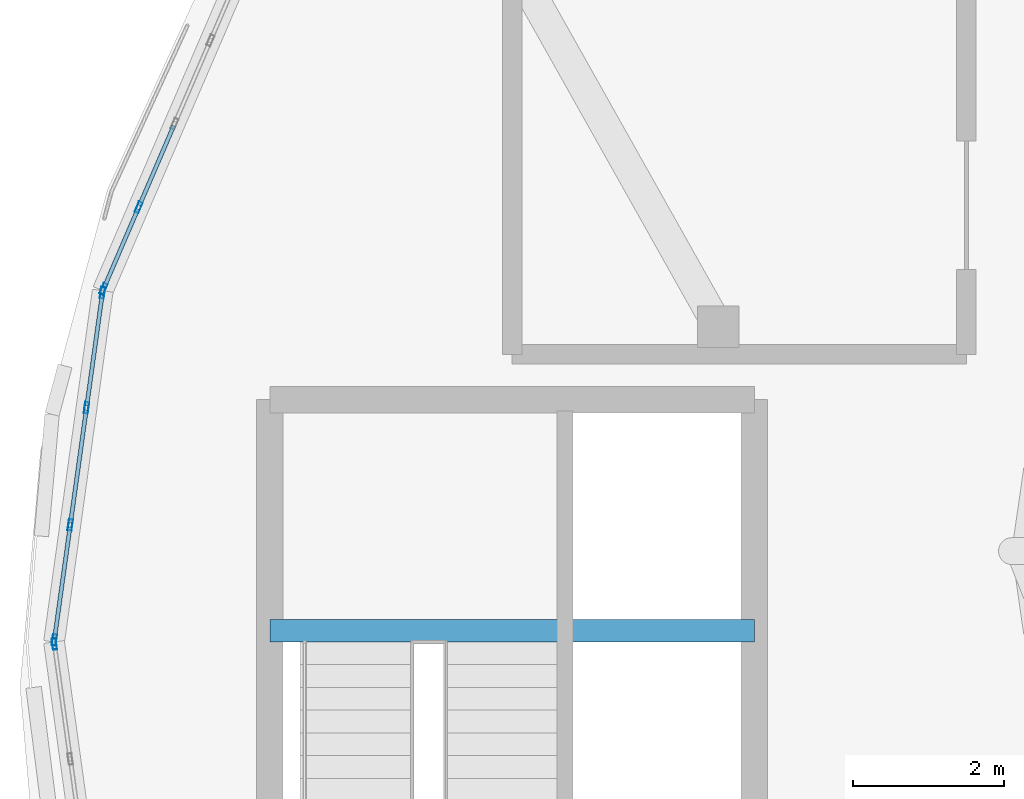
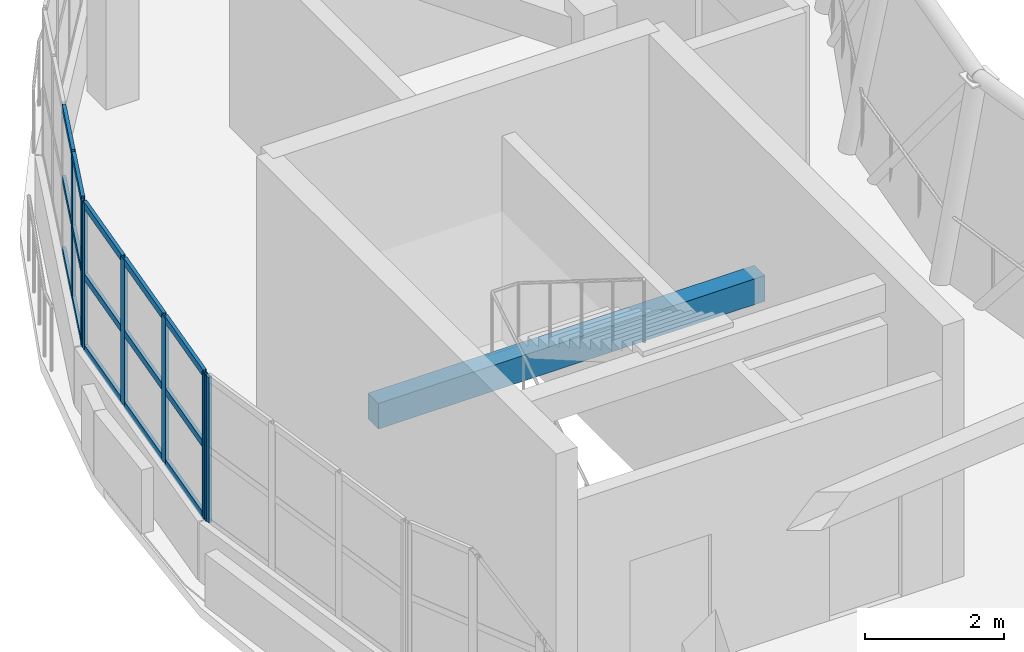
# One storey, part 15 of 46: 22 members, 1 beam, 3 elements without a shape of their own.
"""IFC4 building model written with IfcOpenShell, lengths in metres."""

import ifcopenshell
import ifcopenshell.guid

model = None  # the IFC model being written
_history = None  # IfcOwnerHistory: only IFC2X3 demands one
_inside = {}  # id of a spatial element -> (the spatial element, [elements in it])
_under = {}  # id of a project, library or spatial element -> (it, [spatial elements below it])
_declared = {}  # id of a project -> (the project, [libraries it declares])
_typed = {}  # id of a type object -> (the type object, [elements of that type])
_made_of = {}  # id of a material, layer set ... -> (it, [elements and type objects made of it])


def new_model(schema):
    """Start an empty IFC model of exactly this schema.

    Asked for "IFC4X3", IfcOpenShell would pick the latest addendum, in which some entities
    have other attributes; the version numbers below select the first issue.
    IFC2X3 requires an IfcOwnerHistory on every rooted entity: one is made here for all.
    """
    global model, _history
    if schema == "IFC4X3":
        model = ifcopenshell.file(schema_version=(4, 3, 0, 0))
    else:
        model = ifcopenshell.file(schema=schema)
    _inside.clear()
    _under.clear()
    _declared.clear()
    _typed.clear()
    _made_of.clear()
    _history = None
    if model.schema == "IFC2X3":
        org = make("IfcOrganization", Name="unknown")
        user = make(
            "IfcPersonAndOrganization",
            ThePerson=make("IfcPerson", FamilyName="unknown"),
            TheOrganization=org,
        )
        app = make(
            "IfcApplication",
            ApplicationDeveloper=org,
            Version="unknown",
            ApplicationFullName="unknown",
            ApplicationIdentifier="unknown",
        )
        _history = make(
            "IfcOwnerHistory",
            OwningUser=user,
            OwningApplication=app,
            ChangeAction="ADDED",
            CreationDate=0,
        )
    return model


def make(cls, **values):
    """One entity of the class cls with the attributes given. An attribute that is None is left unset."""
    return model.create_entity(
        cls, **{name: value for name, value in values.items() if value is not None}
    )


def rooted(cls, **values):
    """An entity with a GlobalId (a new one), such as an element, a storey or a relation."""
    return make(cls, GlobalId=ifcopenshell.guid.new(), OwnerHistory=_history, **values)


def si_unit(unit_type, name, prefix=None):
    """IfcSIUnit, for example si_unit("LENGTHUNIT", "METRE", prefix="MILLI")."""
    return make("IfcSIUnit", UnitType=unit_type, Prefix=prefix, Name=name)


def assignment(units):
    """IfcUnitAssignment: the units of a project."""
    return None if units is None else make("IfcUnitAssignment", Units=units)


def point(xyz):
    """IfcCartesianPoint."""
    return None if xyz is None else make("IfcCartesianPoint", Coordinates=xyz)


def direction(xyz):
    """IfcDirection."""
    return None if xyz is None else make("IfcDirection", DirectionRatios=xyz)


def frame(location, z_axis=None, x_axis=None):
    """IfcAxis2Placement3D, a coordinate frame: its origin and axes. An axis left out is left unset."""
    return make(
        "IfcAxis2Placement3D",
        Location=point(location),
        Axis=direction(z_axis),
        RefDirection=direction(x_axis),
    )


def frame_2d(location, x_axis=None):
    """IfcAxis2Placement2D, a coordinate frame in the plane: its origin and x axis."""
    return make(
        "IfcAxis2Placement2D", Location=point(location), RefDirection=direction(x_axis)
    )


def origin():
    """The frame at (0, 0, 0) with its axes left unset."""
    return frame((0.0, 0.0, 0.0))


def origin_2d():
    """The frame at (0, 0) in the plane with its x axis left unset."""
    return frame_2d((0.0, 0.0))


def place(relative_to, where):
    """IfcLocalPlacement: puts the frame where relative to a parent placement (None: the world)."""
    return make(
        "IfcLocalPlacement", PlacementRelTo=relative_to, RelativePlacement=where
    )


def context(
    kind, dimensions, precision=None, world=None, true_north=None, identifier=None
):
    """IfcGeometricRepresentationContext, for example the 3D "Model" context."""
    return make(
        "IfcGeometricRepresentationContext",
        ContextIdentifier=identifier,
        ContextType=kind,
        CoordinateSpaceDimension=dimensions,
        Precision=precision,
        WorldCoordinateSystem=world,
        TrueNorth=true_north,
    )


def subcontext(parent, identifier, kind, view, scale=None):
    """IfcGeometricRepresentationSubContext, for example "Body" below "Model"."""
    return make(
        "IfcGeometricRepresentationSubContext",
        ContextIdentifier=identifier,
        ContextType=kind,
        ParentContext=parent,
        TargetScale=scale,
        TargetView=view,
    )


def project(units=None, contexts=None):
    """IfcProject with its units and contexts."""
    return rooted(
        "IfcProject",
        Name="project",
        RepresentationContexts=contexts,
        UnitsInContext=assignment(units),
    )


def spatial(cls, under=None, at=None, **own):
    """A site, building, storey or space (cls), placed at a placement, below another one or the project."""
    s = rooted(cls, ObjectPlacement=at, **own)
    if under is not None:
        _under.setdefault(under.id(), (under, []))[1].append(s)
    return s


def profile(cls, at=None, kind="AREA", **sizes):
    """A parametric profile (cls). Its sizes go by their IFC names, for example OverallWidth=200.0."""
    return make(cls, ProfileType=kind, Position=at, **sizes)


def rectangle(**sizes):
    """IfcRectangleProfileDef."""
    return profile("IfcRectangleProfileDef", **sizes)


def hollow_rectangle(**sizes):
    """IfcRectangleHollowProfileDef."""
    return profile("IfcRectangleHollowProfileDef", **sizes)


def extrude(swept, where, along, depth):
    """IfcExtrudedAreaSolid: the profile swept, set in the frame where, extruded along a direction by depth."""
    return make(
        "IfcExtrudedAreaSolid",
        SweptArea=swept,
        Position=where,
        ExtrudedDirection=direction(along),
        Depth=depth,
    )


def shape(context_of_items, identifier, shape_type, items):
    """IfcShapeRepresentation: the items that make up one representation, for example the "Body"."""
    return make(
        "IfcShapeRepresentation",
        ContextOfItems=context_of_items,
        RepresentationIdentifier=identifier,
        RepresentationType=shape_type,
        Items=items,
    )


def material(Name=None, Category=None):
    """IfcMaterial."""
    return make("IfcMaterial", Name=Name, Category=Category)


def layer(
    of_material, thickness, ventilated=None, Name=None, Category=None, Priority=None
):
    """IfcMaterialLayer: one layer of a wall or slab, of a material (None: an air gap)."""
    return make(
        "IfcMaterialLayer",
        Material=of_material,
        LayerThickness=thickness,
        IsVentilated=ventilated,
        Name=Name,
        Category=Category,
        Priority=Priority,
    )


def layer_set(layers, Name=None):
    """IfcMaterialLayerSet."""
    return make("IfcMaterialLayerSet", MaterialLayers=layers, LayerSetName=Name)


def material_profile(
    of_material, cross_section, Name=None, Category=None, Priority=None
):
    """IfcMaterialProfile: a cross section and its material."""
    return make(
        "IfcMaterialProfile",
        Name=Name,
        Material=of_material,
        Profile=cross_section,
        Priority=Priority,
        Category=Category,
    )


def profile_set(profiles, Name=None, composite=None):
    """IfcMaterialProfileSet."""
    return make(
        "IfcMaterialProfileSet",
        Name=Name,
        MaterialProfiles=profiles,
        CompositeProfile=composite,
    )


def made_of(thing, what):
    """Note that an element or type object is made of a material, layer set ...; save() writes the relation."""
    if what is not None:
        _made_of.setdefault(what.id(), (what, []))[1].append(thing)
    return thing


def type_object(cls, material=None, **own):
    """A type object (cls), such as IfcWallType, which elements share."""
    return made_of(rooted(cls, **own), material)


def element(
    cls,
    number,
    at=None,
    inside=None,
    cuts=None,
    type_object=None,
    material=None,
    context=None,
    identifier="Body",
    shape_type=None,
    held_by="IfcProductDefinitionShape",
    body=None,
    shapes=None,
    **own,
):
    """One element of the class cls, such as IfcWall. Its Tag is "e" and its number.

    at: its placement. inside: the storey or other place that contains it. cuts: it is an
    opening in that element (IfcRelVoidsElement). A single representation is given by context,
    identifier, shape_type and body (its items); several are given by shapes. held_by: the class
    of the entity that holds the representations. save() writes the other relations.
    """
    e = rooted(cls, Tag="e%d" % number, ObjectPlacement=at, **own)
    if body is not None:
        shapes = [shape(context, identifier, shape_type, body)]
    if shapes is not None:
        e.Representation = make(held_by, Representations=shapes)
    if inside is not None:
        _inside.setdefault(inside.id(), (inside, []))[1].append(e)
    if cuts is not None:
        rooted(
            "IfcRelVoidsElement", RelatingBuildingElement=cuts, RelatedOpeningElement=e
        )
    if type_object is not None:
        _typed.setdefault(type_object.id(), (type_object, []))[1].append(e)
    return made_of(e, material)


def aggregate(whole, parts):
    """IfcRelAggregates: a whole, such as a stair, and the parts it consists of."""
    return rooted("IfcRelAggregates", RelatingObject=whole, RelatedObjects=parts)


def save(model, path):
    """Write the relations noted so far, then the file.

    IfcRelAggregates (storeys below a building ...), IfcRelContainedInSpatialStructure (elements
    in a storey), IfcRelDefinesByType, IfcRelAssociatesMaterial and IfcRelDeclares: one each for
    every whole, place, type object, material and project.
    """
    for whole, parts in _under.values():
        aggregate(whole, parts)
    for where, things in _inside.values():
        rooted(
            "IfcRelContainedInSpatialStructure",
            RelatedElements=things,
            RelatingStructure=where,
        )
    for kind, things in _typed.values():
        rooted("IfcRelDefinesByType", RelatedObjects=things, RelatingType=kind)
    for what, things in _made_of.values():
        rooted("IfcRelAssociatesMaterial", RelatedObjects=things, RelatingMaterial=what)
    for by, libraries in _declared.values():
        rooted("IfcRelDeclares", RelatingContext=by, RelatedDefinitions=libraries)
    model.write(path)


model = new_model("IFC4")

# Units and contexts
model_context = context("Model", 3, precision=1e-05, world=origin(), true_north=direction((0.0, 1.0)))
body_context = subcontext(model_context, "Body", "Model", "MODEL_VIEW")
ifc_project = project(units=[si_unit("LENGTHUNIT", "METRE"), si_unit("AREAUNIT", "SQUARE_METRE"), si_unit("VOLUMEUNIT", "CUBIC_METRE"), si_unit("PLANEANGLEUNIT", "RADIAN"), si_unit("MASSUNIT", "GRAM", prefix="KILO")], contexts=[model_context])

# Site, building, storey
site_placement = place(None, origin())
site = spatial("IfcSite", under=ifc_project, at=site_placement, CompositionType="ELEMENT")
building_placement = place(site_placement, origin())
building = spatial("IfcBuilding", under=site, at=building_placement, Name="Pelvatis Terrace Science Centre", CompositionType="ELEMENT")
storey_placement = place(building_placement, frame((0.0, 0.0, 19.800048828125)))
storey = spatial("IfcBuildingStorey", under=building, at=storey_placement, Name="L04", CompositionType="ELEMENT", Elevation=19.800048828125)

# Beam
ifc_material_1 = material(Name="Concrete C35/45", Category="concrete")
ifc_material_profile_1 = material_profile(ifc_material_1, rectangle(XDim=0.300048828125, YDim=0.449951171875, at=origin_2d()), Name="RC-BM 300x450")
ifc_profile_set_1 = profile_set([ifc_material_profile_1], Name="Concrete C35/45")
beam_type = type_object("IfcBeamType", Name="BM-RC-300x450", PredefinedType="BEAM", material=ifc_profile_set_1)
beam_placement = place(storey_placement, frame((86.800048828125, 84.75, 1.824951171875), z_axis=(1.0, 0.0, 0.0), x_axis=(0.0, 1.0, 0.0)))
element("IfcBeam", 1, at=beam_placement, inside=storey, type_object=beam_type, Name="Core C1 half-landing beam (L04)", PredefinedType="BEAM", context=body_context, shape_type="SweptSolid", body=[
    extrude(rectangle(XDim=0.300048828125, YDim=0.449951171875, at=origin_2d()), origin(), (0.0, 0.0, 1.0), 6.39990234375),
])

# Curtain wall, members
ifc_material_2 = material(Name="Bronze-anodised aluminium and laminated glass", Category="aluminium")
ifc_layer = layer(ifc_material_2, 0.14990234375)
ifc_layer_set = layer_set([ifc_layer], Name="Bronze-anodised aluminium and laminated glass")
curtain_wall_type = type_object("IfcCurtainWallType", Name="CW-PASSAGE-C", PredefinedType="NOTDEFINED", material=ifc_layer_set)
curtain_wall_1_placement = place(storey_placement, origin())
curtain_wall_1 = element("IfcCurtainWall", 2, at=curtain_wall_1_placement, inside=storey, type_object=curtain_wall_type, Name="Ribbon curtain wall CW-223 (L04)", PredefinedType="NOTDEFINED")
ifc_material_3 = material(Name="Bronze-anodised aluminium 6063-T6", Category="aluminium")
ifc_material_profile_2 = material_profile(ifc_material_3, hollow_rectangle(XDim=0.054931640625, YDim=0.14990234375, WallThickness=0.00390625, at=origin_2d()), Name="ALU-MUL 55x150")
ifc_profile_set_2 = profile_set([ifc_material_profile_2], Name="Bronze-anodised aluminium 6063-T6")
member_type_1 = type_object("IfcMemberType", Name="CWM-55x150", PredefinedType="MULLION", material=ifc_profile_set_2)
member_1_placement = place(storey_placement, frame((85.0673828125, 90.34130859375, 1.02001953125), z_axis=(0.0, 0.0, 1.0), x_axis=(0.918515345943, -0.395385330111, 0.0)))
member_1 = element("IfcMember", 3, at=member_1_placement, type_object=member_type_1, Name="CW-223 mullion 4", PredefinedType="MULLION", context=body_context, shape_type="SweptSolid", body=[
    extrude(hollow_rectangle(XDim=0.054931640625, YDim=0.14990234375, WallThickness=0.00390625, at=origin_2d()), origin(), (0.0, 0.0, 1.0), 2.550048828125),
])
member_2_placement = place(storey_placement, frame((84.60400390625, 89.264892578125, 1.02001953125), z_axis=(0.0, 0.0, 1.0), x_axis=(0.918515345943, -0.395385330111, 0.0)))
member_2 = element("IfcMember", 4, at=member_2_placement, type_object=member_type_1, Name="CW-223 mullion 5", PredefinedType="MULLION", context=body_context, shape_type="SweptSolid", body=[
    extrude(hollow_rectangle(XDim=0.054931640625, YDim=0.14990234375, WallThickness=0.00390625, at=origin_2d()), origin(), (0.0, 0.0, 1.0), 2.550048828125),
])

curtain_wall_2_placement = place(storey_placement, origin())
curtain_wall_2 = element("IfcCurtainWall", 5, at=curtain_wall_2_placement, inside=storey, type_object=curtain_wall_type, Name="Ribbon curtain wall CW-224 (L04)", PredefinedType="NOTDEFINED")
member_3_placement = place(storey_placement, frame((84.58935546875, 89.21240234375, 1.02001953125), z_axis=(0.0, 0.0, 1.0), x_axis=(0.990529731284, -0.137298402914, 0.0)))
member_3 = element("IfcMember", 6, at=member_3_placement, type_object=member_type_1, Name="CW-224 mullion 1", PredefinedType="MULLION", context=body_context, shape_type="SweptSolid", body=[
    extrude(hollow_rectangle(XDim=0.054931640625, YDim=0.14990234375, WallThickness=0.00390625, at=origin_2d()), origin(), (0.0, 0.0, 1.0), 2.550048828125),
])
member_4_placement = place(storey_placement, frame((84.378662109375, 87.693115234375, 1.02001953125), z_axis=(0.0, 0.0, 1.0), x_axis=(0.990529731284, -0.137298402914, 0.0)))
member_4 = element("IfcMember", 7, at=member_4_placement, type_object=member_type_1, Name="CW-224 mullion 2", PredefinedType="MULLION", context=body_context, shape_type="SweptSolid", body=[
    extrude(hollow_rectangle(XDim=0.054931640625, YDim=0.14990234375, WallThickness=0.00390625, at=origin_2d()), origin(), (0.0, 0.0, 1.0), 2.550048828125),
])
member_5_placement = place(storey_placement, frame((84.164306640625, 86.146484375, 1.02001953125), z_axis=(0.0, 0.0, 1.0), x_axis=(0.990529731284, -0.137298402914, 0.0)))
member_5 = element("IfcMember", 8, at=member_5_placement, type_object=member_type_1, Name="CW-224 mullion 3", PredefinedType="MULLION", context=body_context, shape_type="SweptSolid", body=[
    extrude(hollow_rectangle(XDim=0.054931640625, YDim=0.14990234375, WallThickness=0.00390625, at=origin_2d()), origin(), (0.0, 0.0, 1.0), 2.550048828125),
])
member_6_placement = place(storey_placement, frame((83.953857421875, 84.627197265625, 1.02001953125), z_axis=(0.0, 0.0, 1.0), x_axis=(0.990529731284, -0.137298402914, 0.0)))
member_6 = element("IfcMember", 9, at=member_6_placement, type_object=member_type_1, Name="CW-224 mullion 4", PredefinedType="MULLION", context=body_context, shape_type="SweptSolid", body=[
    extrude(hollow_rectangle(XDim=0.054931640625, YDim=0.14990234375, WallThickness=0.00390625, at=origin_2d()), origin(), (0.0, 0.0, 1.0), 2.550048828125),
])

# Curtain wall, member
curtain_wall_3_placement = place(storey_placement, origin())
curtain_wall_3 = element("IfcCurtainWall", 10, at=curtain_wall_3_placement, inside=storey, type_object=curtain_wall_type, Name="Ribbon curtain wall CW-225 (L04)", PredefinedType="NOTDEFINED")
member_7_placement = place(storey_placement, frame((83.953857421875, 84.57275390625, 1.02001953125), z_axis=(0.0, 0.0, 1.0), x_axis=(0.990529731284, 0.137298402914, 0.0)))
member_7 = element("IfcMember", 11, at=member_7_placement, type_object=member_type_1, Name="CW-225 mullion 1", PredefinedType="MULLION", context=body_context, shape_type="SweptSolid", body=[
    extrude(hollow_rectangle(XDim=0.054931640625, YDim=0.14990234375, WallThickness=0.00390625, at=origin_2d()), origin(), (0.0, 0.0, 1.0), 2.550048828125),
])
aggregate(curtain_wall_3, [member_7])

# Member
ifc_material_4 = material(Name="Bronze-anodised aluminium 6063-T6", Category="aluminium")
ifc_material_profile_3 = material_profile(ifc_material_4, hollow_rectangle(XDim=0.054931640625, YDim=0.1201171875, WallThickness=0.00341796875, at=origin_2d()), Name="ALU-TRN 55x120")
ifc_profile_set_3 = profile_set([ifc_material_profile_3], Name="Bronze-anodised aluminium 6063-T6")
member_type_2 = type_object("IfcMemberType", Name="CWT-55x120", PredefinedType="USERDEFINED", material=ifc_profile_set_3)
member_8_placement = place(storey_placement, frame((85.53076171875, 91.417724609375, 1.04736328125), z_axis=(-0.395540839539, -0.918448389544, 0.0), x_axis=(0.918448389544, -0.395540839539, 0.0)))
member_8 = element("IfcMember", 12, at=member_8_placement, type_object=member_type_2, Name="CW-223 transom 3.1", ObjectType="TRANSOM", PredefinedType="USERDEFINED", context=body_context, shape_type="SweptSolid", body=[
    extrude(hollow_rectangle(XDim=0.054931640625, YDim=0.1201171875, WallThickness=0.00341796875, at=origin_2d()), origin(), (0.0, 0.0, 1.0), 1.144287109375),
])

member_9_placement = place(storey_placement, frame((85.53076171875, 91.417724609375, 2.294921875), z_axis=(-0.395540839539, -0.918448389544, 0.0), x_axis=(0.918448389544, -0.395540839539, 0.0)))
member_9 = element("IfcMember", 13, at=member_9_placement, type_object=member_type_2, Name="CW-223 transom 3.2", ObjectType="TRANSOM", PredefinedType="USERDEFINED", context=body_context, shape_type="SweptSolid", body=[
    extrude(hollow_rectangle(XDim=0.054931640625, YDim=0.1201171875, WallThickness=0.00341796875, at=origin_2d()), origin(), (0.0, 0.0, 1.0), 1.144287109375),
])

member_10_placement = place(storey_placement, frame((85.53076171875, 91.417724609375, 3.54248046875), z_axis=(-0.395540839539, -0.918448389544, 0.0), x_axis=(0.918448389544, -0.395540839539, 0.0)))
member_10 = element("IfcMember", 14, at=member_10_placement, type_object=member_type_2, Name="CW-223 transom 3.3", ObjectType="TRANSOM", PredefinedType="USERDEFINED", context=body_context, shape_type="SweptSolid", body=[
    extrude(hollow_rectangle(XDim=0.054931640625, YDim=0.1201171875, WallThickness=0.00341796875, at=origin_2d()), origin(), (0.0, 0.0, 1.0), 1.144287109375),
])

member_11_placement = place(storey_placement, frame((85.056396484375, 90.316162109375, 1.04736328125), z_axis=(-0.395343118911, -0.918533515082, 0.0), x_axis=(0.918533515082, -0.395343118911, 0.0)))
member_11 = element("IfcMember", 15, at=member_11_placement, type_object=member_type_2, Name="CW-223 transom 4.1", ObjectType="TRANSOM", PredefinedType="USERDEFINED", context=body_context, shape_type="SweptSolid", body=[
    extrude(hollow_rectangle(XDim=0.054931640625, YDim=0.1201171875, WallThickness=0.00341796875, at=origin_2d()), origin(), (0.0, 0.0, 1.0), 1.1171875),
])

member_12_placement = place(storey_placement, frame((85.056396484375, 90.316162109375, 2.294921875), z_axis=(-0.395343118911, -0.918533515082, 0.0), x_axis=(0.918533515082, -0.395343118911, 0.0)))
member_12 = element("IfcMember", 16, at=member_12_placement, type_object=member_type_2, Name="CW-223 transom 4.2", ObjectType="TRANSOM", PredefinedType="USERDEFINED", context=body_context, shape_type="SweptSolid", body=[
    extrude(hollow_rectangle(XDim=0.054931640625, YDim=0.1201171875, WallThickness=0.00341796875, at=origin_2d()), origin(), (0.0, 0.0, 1.0), 1.1171875),
])

member_13_placement = place(storey_placement, frame((85.056396484375, 90.316162109375, 3.54248046875), z_axis=(-0.395343118911, -0.918533515082, 0.0), x_axis=(0.918533515082, -0.395343118911, 0.0)))
member_13 = element("IfcMember", 17, at=member_13_placement, type_object=member_type_2, Name="CW-223 transom 4.3", ObjectType="TRANSOM", PredefinedType="USERDEFINED", context=body_context, shape_type="SweptSolid", body=[
    extrude(hollow_rectangle(XDim=0.054931640625, YDim=0.1201171875, WallThickness=0.00341796875, at=origin_2d()), origin(), (0.0, 0.0, 1.0), 1.1171875),
])

aggregate(curtain_wall_1, [member_1, member_2, member_8, member_9, member_10, member_11, member_12, member_13])

member_14_placement = place(storey_placement, frame((84.58544921875, 89.18505859375, 1.04736328125), z_axis=(-0.137190439593, -0.9905446902, 0.0), x_axis=(0.9905446902, -0.137190439593, 0.0)))
member_14 = element("IfcMember", 18, at=member_14_placement, type_object=member_type_2, Name="CW-224 transom 1.1", ObjectType="TRANSOM", PredefinedType="USERDEFINED", context=body_context, shape_type="SweptSolid", body=[
    extrude(hollow_rectangle(XDim=0.054931640625, YDim=0.1201171875, WallThickness=0.00341796875, at=origin_2d()), origin(), (0.0, 0.0, 1.0), 1.478759765625),
])

member_15_placement = place(storey_placement, frame((84.58544921875, 89.18505859375, 2.294921875), z_axis=(-0.137190439593, -0.9905446902, 0.0), x_axis=(0.9905446902, -0.137190439593, 0.0)))
member_15 = element("IfcMember", 19, at=member_15_placement, type_object=member_type_2, Name="CW-224 transom 1.2", ObjectType="TRANSOM", PredefinedType="USERDEFINED", context=body_context, shape_type="SweptSolid", body=[
    extrude(hollow_rectangle(XDim=0.054931640625, YDim=0.1201171875, WallThickness=0.00341796875, at=origin_2d()), origin(), (0.0, 0.0, 1.0), 1.478759765625),
])

member_16_placement = place(storey_placement, frame((84.58544921875, 89.18505859375, 3.54248046875), z_axis=(-0.137190439593, -0.9905446902, 0.0), x_axis=(0.9905446902, -0.137190439593, 0.0)))
member_16 = element("IfcMember", 20, at=member_16_placement, type_object=member_type_2, Name="CW-224 transom 1.3", ObjectType="TRANSOM", PredefinedType="USERDEFINED", context=body_context, shape_type="SweptSolid", body=[
    extrude(hollow_rectangle(XDim=0.054931640625, YDim=0.1201171875, WallThickness=0.00341796875, at=origin_2d()), origin(), (0.0, 0.0, 1.0), 1.478759765625),
])

member_17_placement = place(storey_placement, frame((84.375, 87.665771484375, 1.04736328125), z_axis=(-0.13729007689, -0.990530885327, 0.0), x_axis=(0.990530885327, -0.13729007689, 0.0)))
member_17 = element("IfcMember", 21, at=member_17_placement, type_object=member_type_2, Name="CW-224 transom 2.1", ObjectType="TRANSOM", PredefinedType="USERDEFINED", context=body_context, shape_type="SweptSolid", body=[
    extrude(hollow_rectangle(XDim=0.054931640625, YDim=0.1201171875, WallThickness=0.00341796875, at=origin_2d()), origin(), (0.0, 0.0, 1.0), 1.506103515625),
])

member_18_placement = place(storey_placement, frame((84.375, 87.665771484375, 2.294921875), z_axis=(-0.13729007689, -0.990530885327, 0.0), x_axis=(0.990530885327, -0.13729007689, 0.0)))
member_18 = element("IfcMember", 22, at=member_18_placement, type_object=member_type_2, Name="CW-224 transom 2.2", ObjectType="TRANSOM", PredefinedType="USERDEFINED", context=body_context, shape_type="SweptSolid", body=[
    extrude(hollow_rectangle(XDim=0.054931640625, YDim=0.1201171875, WallThickness=0.00341796875, at=origin_2d()), origin(), (0.0, 0.0, 1.0), 1.506103515625),
])

member_19_placement = place(storey_placement, frame((84.375, 87.665771484375, 3.54248046875), z_axis=(-0.13729007689, -0.990530885327, 0.0), x_axis=(0.990530885327, -0.13729007689, 0.0)))
member_19 = element("IfcMember", 23, at=member_19_placement, type_object=member_type_2, Name="CW-224 transom 2.3", ObjectType="TRANSOM", PredefinedType="USERDEFINED", context=body_context, shape_type="SweptSolid", body=[
    extrude(hollow_rectangle(XDim=0.054931640625, YDim=0.1201171875, WallThickness=0.00341796875, at=origin_2d()), origin(), (0.0, 0.0, 1.0), 1.506103515625),
])

member_20_placement = place(storey_placement, frame((84.16064453125, 86.119384765625, 1.04736328125), z_axis=(-0.13735241766, -0.99052224274, 0.0), x_axis=(0.99052224274, -0.13735241766, 0.0)))
member_20 = element("IfcMember", 24, at=member_20_placement, type_object=member_type_2, Name="CW-224 transom 3.1", ObjectType="TRANSOM", PredefinedType="USERDEFINED", context=body_context, shape_type="SweptSolid", body=[
    extrude(hollow_rectangle(XDim=0.054931640625, YDim=0.1201171875, WallThickness=0.00341796875, at=origin_2d()), origin(), (0.0, 0.0, 1.0), 1.478759765625),
])

member_21_placement = place(storey_placement, frame((84.16064453125, 86.119384765625, 2.294921875), z_axis=(-0.13735241766, -0.99052224274, 0.0), x_axis=(0.99052224274, -0.13735241766, 0.0)))
member_21 = element("IfcMember", 25, at=member_21_placement, type_object=member_type_2, Name="CW-224 transom 3.2", ObjectType="TRANSOM", PredefinedType="USERDEFINED", context=body_context, shape_type="SweptSolid", body=[
    extrude(hollow_rectangle(XDim=0.054931640625, YDim=0.1201171875, WallThickness=0.00341796875, at=origin_2d()), origin(), (0.0, 0.0, 1.0), 1.478759765625),
])

member_22_placement = place(storey_placement, frame((84.16064453125, 86.119384765625, 3.54248046875), z_axis=(-0.13735241766, -0.99052224274, 0.0), x_axis=(0.99052224274, -0.13735241766, 0.0)))
member_22 = element("IfcMember", 26, at=member_22_placement, type_object=member_type_2, Name="CW-224 transom 3.3", ObjectType="TRANSOM", PredefinedType="USERDEFINED", context=body_context, shape_type="SweptSolid", body=[
    extrude(hollow_rectangle(XDim=0.054931640625, YDim=0.1201171875, WallThickness=0.00341796875, at=origin_2d()), origin(), (0.0, 0.0, 1.0), 1.478759765625),
])

aggregate(curtain_wall_2, [member_3, member_4, member_5, member_6, member_14, member_15, member_16, member_17, member_18, member_19, member_20, member_21, member_22])

save(model, "model.ifc")
